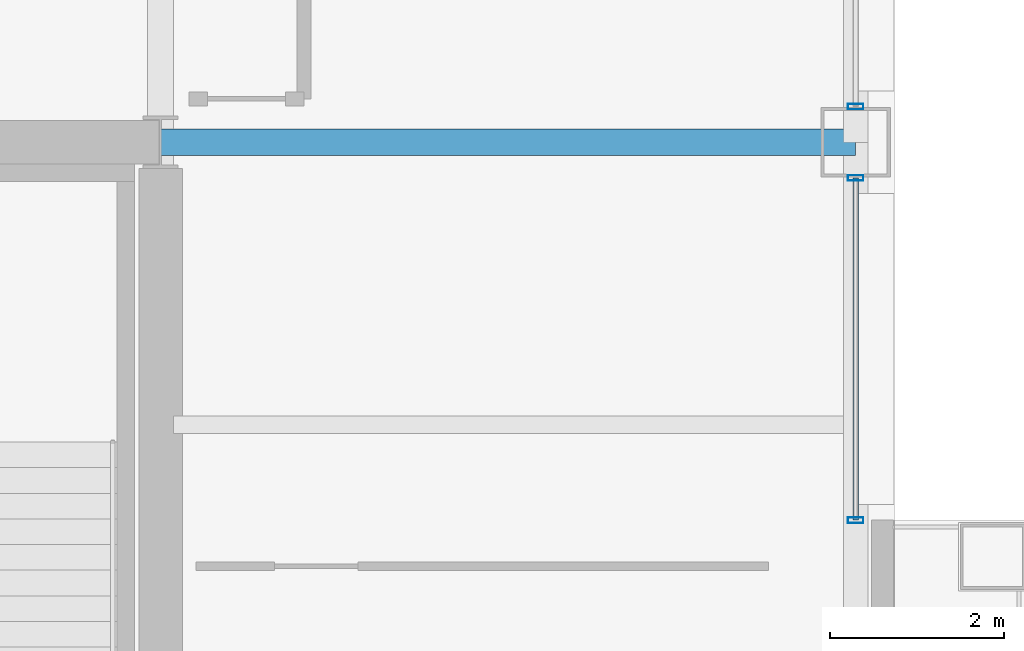
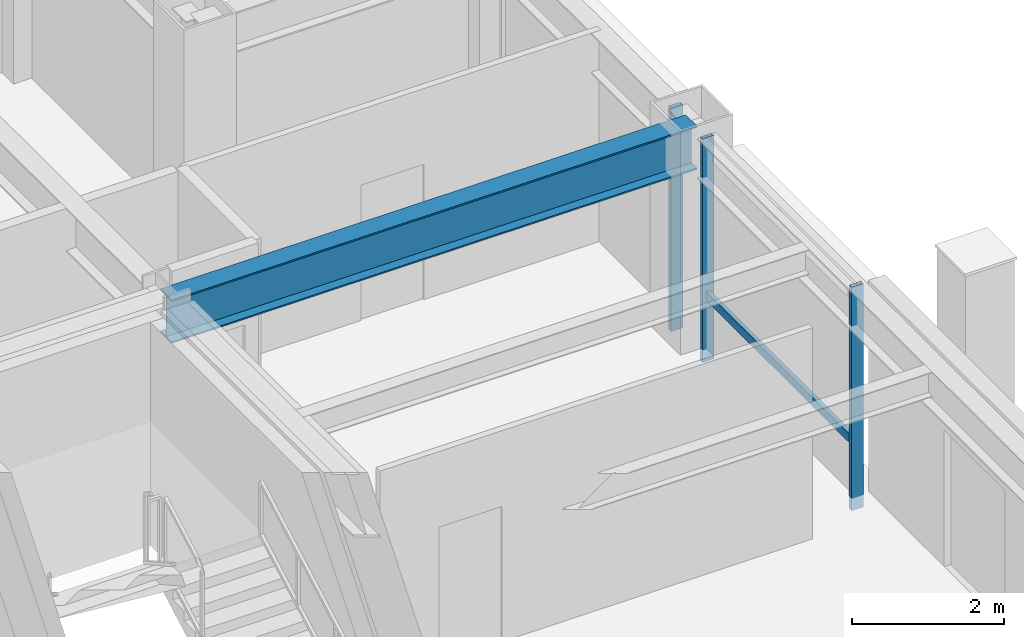
# One storey, part 16 of 29: 4 members, 1 beam, 2 elements without a shape of their own.
"""IFC4 building model written with IfcOpenShell, lengths in metres."""

from ifc_helpers import new_model, si_unit, direction, frame, origin, origin_2d, place, context, subcontext, project, spatial, hollow_rectangle, i_section, extrude, material, layer, layer_set, material_profile, profile_set, type_object, element, aggregate, save


model = new_model("IFC4")

# Units and contexts
model_context = context("Model", 3, precision=1e-05, world=origin(), true_north=direction((0.0, 1.0)))
body_context = subcontext(model_context, "Body", "Model", "MODEL_VIEW")
ifc_project = project(units=[si_unit("LENGTHUNIT", "METRE"), si_unit("AREAUNIT", "SQUARE_METRE"), si_unit("VOLUMEUNIT", "CUBIC_METRE"), si_unit("PLANEANGLEUNIT", "RADIAN"), si_unit("MASSUNIT", "GRAM", prefix="KILO")], contexts=[model_context])

# Site, building, storey
site_placement = place(None, origin())
site = spatial("IfcSite", under=ifc_project, at=site_placement, CompositionType="ELEMENT")
building_placement = place(site_placement, origin())
building = spatial("IfcBuilding", under=site, at=building_placement, Name="Brelmoor Portico Tower", CompositionType="ELEMENT")
storey_placement = place(building_placement, frame((0.0, 0.0, 127.800048828125)))
storey = spatial("IfcBuildingStorey", under=building, at=storey_placement, Name="L33", CompositionType="ELEMENT", Elevation=127.800048828125)

# Beam
ifc_material_1 = material(Name="Steel Q355B", Category="steel")
ifc_material_profile_1 = material_profile(ifc_material_1, i_section(OverallWidth=0.300048828125, OverallDepth=0.699951171875, WebThickness=0.012939453125, FlangeThickness=0.02392578125, at=origin_2d()), Name="HN 700x300x13x24")
ifc_profile_set_1 = profile_set([ifc_material_profile_1], Name="Steel Q355B")
beam_type = type_object("IfcBeamType", Name="BM-PG-700", PredefinedType="BEAM", material=ifc_profile_set_1)
beam_placement = place(storey_placement, frame((14.550048828125, 9.75, 3.050048828125), z_axis=(1.0, 0.0, 0.0), x_axis=(0.0, 1.0, 0.0)))
element("IfcBeam", 1, at=beam_placement, inside=storey, type_object=beam_type, Name="L33 Primary Floor Girder PG-26", PredefinedType="BEAM", context=body_context, shape_type="SweptSolid", body=[
    extrude(i_section(OverallWidth=0.300048828125, OverallDepth=0.699951171875, WebThickness=0.012939453125, FlangeThickness=0.02392578125, at=origin_2d()), origin(), (0.0, 0.0, 1.0), 8.0),
])

# Curtain wall, members
ifc_material_2 = material(Name="Anodised Aluminium Alloy 6063-T6", Category="aluminium")
ifc_layer_1 = layer(ifc_material_2, 0.179931640625)
ifc_layer_set_1 = layer_set([ifc_layer_1], Name="Anodised Aluminium Alloy 6063-T6")
curtain_wall_type_1 = type_object("IfcCurtainWallType", Name="CW-TOWER-Z2", PredefinedType="NOTDEFINED", material=ifc_layer_set_1)
curtain_wall_1_placement = place(storey_placement, origin())
curtain_wall_1 = element("IfcCurtainWall", 2, at=curtain_wall_1_placement, inside=storey, type_object=curtain_wall_type_1, Name="L33 Curtain Wall CW-L33-4R-1", PredefinedType="NOTDEFINED")
ifc_material_profile_2 = material_profile(ifc_material_2, hollow_rectangle(XDim=0.06494140625, YDim=0.179931640625, WallThickness=0.00390625, at=origin_2d()), Name="ALU MULLION 65x180")
ifc_profile_set_2 = profile_set([ifc_material_profile_2], Name="Anodised Aluminium Alloy 6063-T6")
member_type_1 = type_object("IfcMemberType", Name="MB-CW-MULL-180", PredefinedType="MULLION", material=ifc_profile_set_2)
member_1_placement = place(storey_placement, frame((22.550048828125, 5.39990234375, -0.199951171875), z_axis=(0.0, 0.0, 1.0), x_axis=(0.0, 1.0, 0.0)))
member_1 = element("IfcMember", 3, at=member_1_placement, type_object=member_type_1, Name="CW-L33-4R-1 Mullion 00", PredefinedType="MULLION", context=body_context, shape_type="SweptSolid", body=[
    extrude(hollow_rectangle(XDim=0.06494140625, YDim=0.179931640625, WallThickness=0.00390625, at=origin_2d()), origin(), (0.0, 0.0, 1.0), 3.599853515625),
])
member_2_placement = place(storey_placement, frame((22.550048828125, 9.340087890625, -0.199951171875), z_axis=(0.0, 0.0, 1.0), x_axis=(0.0, 1.0, 0.0)))
member_2 = element("IfcMember", 4, at=member_2_placement, type_object=member_type_1, Name="CW-L33-4R-1 Mullion 01", PredefinedType="MULLION", context=body_context, shape_type="SweptSolid", body=[
    extrude(hollow_rectangle(XDim=0.06494140625, YDim=0.179931640625, WallThickness=0.00390625, at=origin_2d()), origin(), (0.0, 0.0, 1.0), 3.599853515625),
])

# Curtain wall, member
ifc_layer_2 = layer(ifc_material_2, 0.179931640625)
ifc_layer_set_2 = layer_set([ifc_layer_2], Name="Anodised Aluminium Alloy 6063-T6")
curtain_wall_type_2 = type_object("IfcCurtainWallType", Name="CW-TOWER-Z2-XB", PredefinedType="NOTDEFINED", material=ifc_layer_set_2)
curtain_wall_2_placement = place(storey_placement, origin())
curtain_wall_2 = element("IfcCurtainWall", 5, at=curtain_wall_2_placement, inside=storey, type_object=curtain_wall_type_2, Name="L33 Curtain Wall CW-L33-4R-2", PredefinedType="NOTDEFINED")
member_3_placement = place(storey_placement, frame((22.550048828125, 10.159912109375, -0.199951171875), z_axis=(0.0, 0.0, 1.0), x_axis=(0.0, 1.0, 0.0)))
member_3 = element("IfcMember", 6, at=member_3_placement, type_object=member_type_1, Name="CW-L33-4R-2 Mullion 00", PredefinedType="MULLION", context=body_context, shape_type="SweptSolid", body=[
    extrude(hollow_rectangle(XDim=0.06494140625, YDim=0.179931640625, WallThickness=0.00390625, at=origin_2d()), origin(), (0.0, 0.0, 1.0), 3.599853515625),
])
aggregate(curtain_wall_2, [member_3])

# Member
ifc_material_profile_3 = material_profile(ifc_material_2, hollow_rectangle(XDim=0.06494140625, YDim=0.139892578125, WallThickness=0.00390625, at=origin_2d()), Name="ALU TRANSOM 65x140")
ifc_profile_set_3 = profile_set([ifc_material_profile_3], Name="Anodised Aluminium Alloy 6063-T6")
member_type_2 = type_object("IfcMemberType", Name="MB-CW-TRAN-140", PredefinedType="USERDEFINED", material=ifc_profile_set_3)
member_4_placement = place(storey_placement, frame((22.550048828125, 5.39990234375, 0.849853515625), z_axis=(0.0, 1.0, 0.0), x_axis=(-1.0, 0.0, 0.0)))
member_4 = element("IfcMember", 7, at=member_4_placement, type_object=member_type_2, Name="CW-L33-4R-1 Transom 1-00", ObjectType="TRANSOM", PredefinedType="USERDEFINED", context=body_context, shape_type="SweptSolid", body=[
    extrude(hollow_rectangle(XDim=0.06494140625, YDim=0.139892578125, WallThickness=0.00390625, at=origin_2d()), origin(), (0.0, 0.0, 1.0), 3.940185546875),
])

aggregate(curtain_wall_1, [member_1, member_2, member_4])

save(model, "model.ifc")
